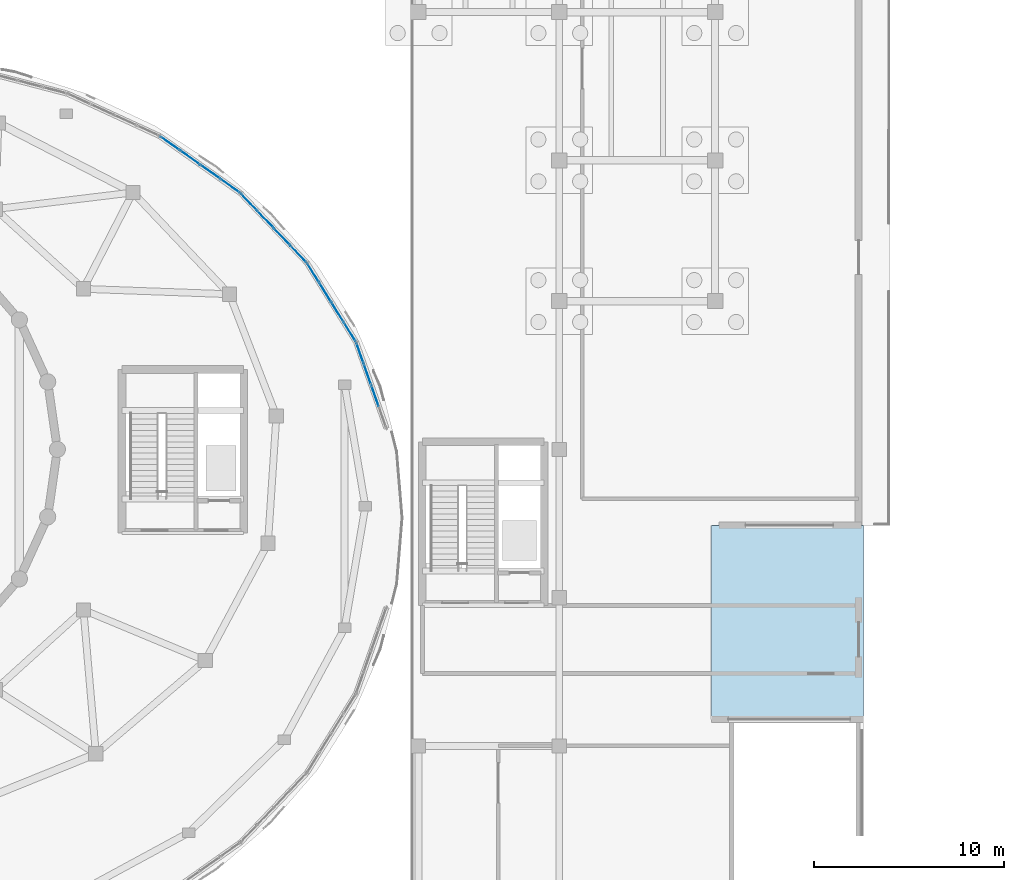
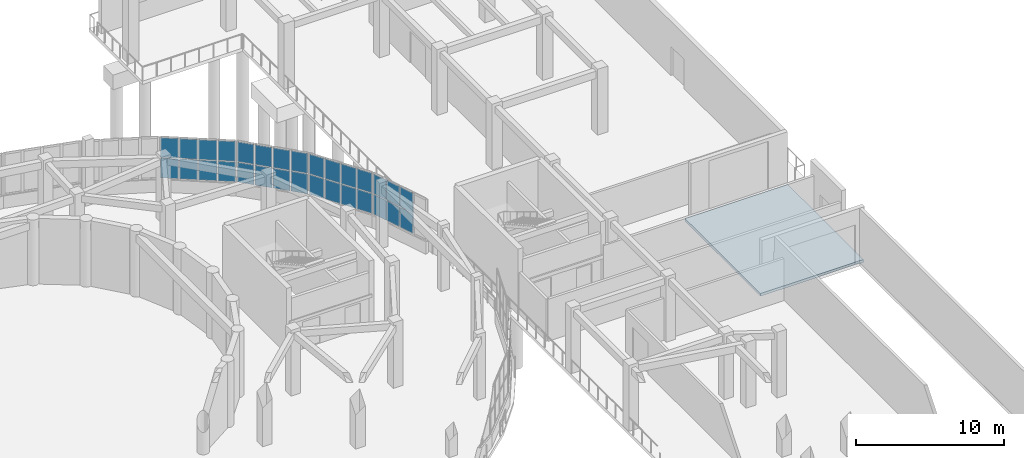
# One storey, part 70 of 96: 30 plates, 1 slab, 4 elements without a shape of their own.
"""IFC4 building model written with IfcOpenShell, lengths in metres."""

from ifc_helpers import new_model, si_unit, direction, frame, origin, origin_2d, place, context, subcontext, project, spatial, polyline, rectangle, outline, extrude, material, layer, layer_set, type_object, element, aggregate, save


model = new_model("IFC4")

# Units and contexts
model_context = context("Model", 3, precision=1e-05, world=origin(), true_north=direction((0.0, 1.0)))
body_context = subcontext(model_context, "Body", "Model", "MODEL_VIEW")
ifc_project = project(units=[si_unit("LENGTHUNIT", "METRE"), si_unit("AREAUNIT", "SQUARE_METRE"), si_unit("VOLUMEUNIT", "CUBIC_METRE"), si_unit("PLANEANGLEUNIT", "RADIAN"), si_unit("MASSUNIT", "GRAM", prefix="KILO")], contexts=[model_context])

# Site, building, storey
site_placement = place(None, origin())
site = spatial("IfcSite", under=ifc_project, at=site_placement, CompositionType="ELEMENT")
building_placement = place(site_placement, origin())
building = spatial("IfcBuilding", under=site, at=building_placement, Name="Pelvatis Terrace Science Centre", CompositionType="ELEMENT")
storey_placement = place(building_placement, origin())
storey = spatial("IfcBuildingStorey", under=building, at=storey_placement, Name="L00", CompositionType="ELEMENT", Elevation=0.0)

# Curtain wall, plates
ifc_material_1 = material(Name="Bronze-anodised aluminium and laminated glass", Category="aluminium")
ifc_layer_1 = layer(ifc_material_1, 0.199951171875)
ifc_layer_set_1 = layer_set([ifc_layer_1], Name="Bronze-anodised aluminium and laminated glass")
curtain_wall_type = type_object("IfcCurtainWallType", Name="CW-RIBBON-B", PredefinedType="NOTDEFINED", material=ifc_layer_set_1)
curtain_wall_1_placement = place(storey_placement, origin())
curtain_wall_1 = element("IfcCurtainWall", 1, at=curtain_wall_1_placement, inside=storey, type_object=curtain_wall_type, Name="Ribbon curtain wall CW-101 (L00)", PredefinedType="NOTDEFINED")
ifc_material_2 = material(Name="Low-e laminated solar-control double glazing", Category="glass")
ifc_layer_2 = layer(ifc_material_2, 0.031982421875)
ifc_layer_set_2 = layer_set([ifc_layer_2], Name="Low-e laminated solar-control double glazing")
plate_type = type_object("IfcPlateType", Name="CWP-IGU-32", PredefinedType="CURTAIN_PANEL", material=ifc_layer_set_2)
plate_1_placement = place(storey_placement, frame((138.512451171875, 88.6103515625, 1.0849609375), z_axis=(0.0, 0.0, 1.0), x_axis=(-0.332308248738, 0.943170837028, 0.0)))
plate_1 = element("IfcPlate", 2, at=plate_1_placement, type_object=plate_type, Name="CW-101 panel 2.1", PredefinedType="CURTAIN_PANEL", context=body_context, shape_type="SweptSolid", body=[
    extrude(rectangle(XDim=1.1357421875, YDim=0.031982421875, at=origin_2d()), origin(), (0.0, 0.0, 1.0), 1.62255859375),
])
plate_2_placement = place(storey_placement, frame((138.512451171875, 88.6103515625, 2.7724609375), z_axis=(0.0, 0.0, 1.0), x_axis=(-0.332308248738, 0.943170837028, 0.0)))
plate_2 = element("IfcPlate", 3, at=plate_2_placement, type_object=plate_type, Name="CW-101 panel 2.2", PredefinedType="CURTAIN_PANEL", context=body_context, shape_type="SweptSolid", body=[
    extrude(rectangle(XDim=1.1357421875, YDim=0.031982421875, at=origin_2d()), origin(), (0.0, 0.0, 1.0), 1.62255859375),
])
plate_3_placement = place(storey_placement, frame((138.11328125, 89.742919921875, 1.0849609375), z_axis=(0.0, 0.0, 1.0), x_axis=(-0.332308248738, 0.943170837028, 0.0)))
plate_3 = element("IfcPlate", 4, at=plate_3_placement, type_object=plate_type, Name="CW-101 panel 3.1", PredefinedType="CURTAIN_PANEL", context=body_context, shape_type="SweptSolid", body=[
    extrude(rectangle(XDim=1.1357421875, YDim=0.031982421875, at=origin_2d()), origin(), (0.0, 0.0, 1.0), 1.62255859375),
])
plate_4_placement = place(storey_placement, frame((138.11328125, 89.742919921875, 2.7724609375), z_axis=(0.0, 0.0, 1.0), x_axis=(-0.332308248738, 0.943170837028, 0.0)))
plate_4 = element("IfcPlate", 5, at=plate_4_placement, type_object=plate_type, Name="CW-101 panel 3.2", PredefinedType="CURTAIN_PANEL", context=body_context, shape_type="SweptSolid", body=[
    extrude(rectangle(XDim=1.1357421875, YDim=0.031982421875, at=origin_2d()), origin(), (0.0, 0.0, 1.0), 1.62255859375),
])
plate_5_placement = place(storey_placement, frame((137.7197265625, 90.860107421875, 1.0849609375), z_axis=(0.0, 0.0, 1.0), x_axis=(-0.332308248738, 0.943170837028, 0.0)))
plate_5 = element("IfcPlate", 6, at=plate_5_placement, type_object=plate_type, Name="CW-101 panel 4.1", PredefinedType="CURTAIN_PANEL", context=body_context, shape_type="SweptSolid", body=[
    extrude(rectangle(XDim=1.103271484375, YDim=0.031982421875, at=origin_2d()), origin(), (0.0, 0.0, 1.0), 1.62255859375),
])
plate_6_placement = place(storey_placement, frame((137.7197265625, 90.860107421875, 2.7724609375), z_axis=(0.0, 0.0, 1.0), x_axis=(-0.332308248738, 0.943170837028, 0.0)))
plate_6 = element("IfcPlate", 7, at=plate_6_placement, type_object=plate_type, Name="CW-101 panel 4.2", PredefinedType="CURTAIN_PANEL", context=body_context, shape_type="SweptSolid", body=[
    extrude(rectangle(XDim=1.103271484375, YDim=0.031982421875, at=origin_2d()), origin(), (0.0, 0.0, 1.0), 1.62255859375),
])
aggregate(curtain_wall_1, [plate_1, plate_2, plate_3, plate_4, plate_5, plate_6])

curtain_wall_2_placement = place(storey_placement, origin())
curtain_wall_2 = element("IfcCurtainWall", 8, at=curtain_wall_2_placement, inside=storey, type_object=curtain_wall_type, Name="Ribbon curtain wall CW-102 (L00)", PredefinedType="NOTDEFINED")
plate_7_placement = place(storey_placement, frame((137.18212890625, 91.9775390625, 1.0849609375), z_axis=(0.0, 0.0, 1.0), x_axis=(-0.527450488022, 0.849585771235, 0.0)))
plate_7 = element("IfcPlate", 9, at=plate_7_placement, type_object=plate_type, Name="CW-102 panel 1.1", PredefinedType="CURTAIN_PANEL", context=body_context, shape_type="SweptSolid", body=[
    extrude(rectangle(XDim=1.131103515625, YDim=0.031982421875, at=origin_2d()), origin(), (0.0, 0.0, 1.0), 1.62255859375),
])
plate_8_placement = place(storey_placement, frame((137.18212890625, 91.9775390625, 2.7724609375), z_axis=(0.0, 0.0, 1.0), x_axis=(-0.527450488022, 0.849585771235, 0.0)))
plate_8 = element("IfcPlate", 10, at=plate_8_placement, type_object=plate_type, Name="CW-102 panel 1.2", PredefinedType="CURTAIN_PANEL", context=body_context, shape_type="SweptSolid", body=[
    extrude(rectangle(XDim=1.131103515625, YDim=0.031982421875, at=origin_2d()), origin(), (0.0, 0.0, 1.0), 1.62255859375),
])
plate_9_placement = place(storey_placement, frame((136.542724609375, 93.007568359375, 1.0849609375), z_axis=(0.0, 0.0, 1.0), x_axis=(-0.527450488022, 0.849585771235, 0.0)))
plate_9 = element("IfcPlate", 11, at=plate_9_placement, type_object=plate_type, Name="CW-102 panel 2.1", PredefinedType="CURTAIN_PANEL", context=body_context, shape_type="SweptSolid", body=[
    extrude(rectangle(XDim=1.16357421875, YDim=0.031982421875, at=origin_2d()), origin(), (0.0, 0.0, 1.0), 1.62255859375),
])
plate_10_placement = place(storey_placement, frame((136.542724609375, 93.007568359375, 2.7724609375), z_axis=(0.0, 0.0, 1.0), x_axis=(-0.527450488022, 0.849585771235, 0.0)))
plate_10 = element("IfcPlate", 12, at=plate_10_placement, type_object=plate_type, Name="CW-102 panel 2.2", PredefinedType="CURTAIN_PANEL", context=body_context, shape_type="SweptSolid", body=[
    extrude(rectangle(XDim=1.16357421875, YDim=0.031982421875, at=origin_2d()), origin(), (0.0, 0.0, 1.0), 1.62255859375),
])
plate_11_placement = place(storey_placement, frame((135.894775390625, 94.05126953125, 1.0849609375), z_axis=(0.0, 0.0, 1.0), x_axis=(-0.527450488022, 0.849585771235, 0.0)))
plate_11 = element("IfcPlate", 13, at=plate_11_placement, type_object=plate_type, Name="CW-102 panel 3.1", PredefinedType="CURTAIN_PANEL", context=body_context, shape_type="SweptSolid", body=[
    extrude(rectangle(XDim=1.16357421875, YDim=0.031982421875, at=origin_2d()), origin(), (0.0, 0.0, 1.0), 1.62255859375),
])
plate_12_placement = place(storey_placement, frame((135.894775390625, 94.05126953125, 2.7724609375), z_axis=(0.0, 0.0, 1.0), x_axis=(-0.527450488022, 0.849585771235, 0.0)))
plate_12 = element("IfcPlate", 14, at=plate_12_placement, type_object=plate_type, Name="CW-102 panel 3.2", PredefinedType="CURTAIN_PANEL", context=body_context, shape_type="SweptSolid", body=[
    extrude(rectangle(XDim=1.16357421875, YDim=0.031982421875, at=origin_2d()), origin(), (0.0, 0.0, 1.0), 1.62255859375),
])
plate_13_placement = place(storey_placement, frame((135.25537109375, 95.081298828125, 1.0849609375), z_axis=(0.0, 0.0, 1.0), x_axis=(-0.527450488022, 0.849585771235, 0.0)))
plate_13 = element("IfcPlate", 15, at=plate_13_placement, type_object=plate_type, Name="CW-102 panel 4.1", PredefinedType="CURTAIN_PANEL", context=body_context, shape_type="SweptSolid", body=[
    extrude(rectangle(XDim=1.131103515625, YDim=0.031982421875, at=origin_2d()), origin(), (0.0, 0.0, 1.0), 1.62255859375),
])
plate_14_placement = place(storey_placement, frame((135.25537109375, 95.081298828125, 2.7724609375), z_axis=(0.0, 0.0, 1.0), x_axis=(-0.527450488022, 0.849585771235, 0.0)))
plate_14 = element("IfcPlate", 16, at=plate_14_placement, type_object=plate_type, Name="CW-102 panel 4.2", PredefinedType="CURTAIN_PANEL", context=body_context, shape_type="SweptSolid", body=[
    extrude(rectangle(XDim=1.131103515625, YDim=0.031982421875, at=origin_2d()), origin(), (0.0, 0.0, 1.0), 1.62255859375),
])
aggregate(curtain_wall_2, [plate_7, plate_8, plate_9, plate_10, plate_11, plate_12, plate_13, plate_14])

curtain_wall_3_placement = place(storey_placement, origin())
curtain_wall_3 = element("IfcCurtainWall", 17, at=curtain_wall_3_placement, inside=storey, type_object=curtain_wall_type, Name="Ribbon curtain wall CW-103 (L00)", PredefinedType="NOTDEFINED")
plate_15_placement = place(storey_placement, frame((134.475341796875, 96.086181640625, 1.0849609375), z_axis=(0.0, 0.0, 1.0), x_axis=(-0.689973170309, 0.723834942686, 0.0)))
plate_15 = element("IfcPlate", 18, at=plate_15_placement, type_object=plate_type, Name="CW-103 panel 1.1", PredefinedType="CURTAIN_PANEL", context=body_context, shape_type="SweptSolid", body=[
    extrude(rectangle(XDim=1.16650390625, YDim=0.031982421875, at=origin_2d()), origin(), (0.0, 0.0, 1.0), 1.62255859375),
])
plate_16_placement = place(storey_placement, frame((134.475341796875, 96.086181640625, 2.7724609375), z_axis=(0.0, 0.0, 1.0), x_axis=(-0.689973170309, 0.723834942686, 0.0)))
plate_16 = element("IfcPlate", 19, at=plate_16_placement, type_object=plate_type, Name="CW-103 panel 1.2", PredefinedType="CURTAIN_PANEL", context=body_context, shape_type="SweptSolid", body=[
    extrude(rectangle(XDim=1.16650390625, YDim=0.031982421875, at=origin_2d()), origin(), (0.0, 0.0, 1.0), 1.62255859375),
])
plate_17_placement = place(storey_placement, frame((133.614501953125, 96.9892578125, 1.0849609375), z_axis=(0.0, 0.0, 1.0), x_axis=(-0.689973170309, 0.723834942686, 0.0)))
plate_17 = element("IfcPlate", 20, at=plate_17_placement, type_object=plate_type, Name="CW-103 panel 2.1", PredefinedType="CURTAIN_PANEL", context=body_context, shape_type="SweptSolid", body=[
    extrude(rectangle(XDim=1.198974609375, YDim=0.031982421875, at=origin_2d()), origin(), (0.0, 0.0, 1.0), 1.62255859375),
])
plate_18_placement = place(storey_placement, frame((133.614501953125, 96.9892578125, 2.7724609375), z_axis=(0.0, 0.0, 1.0), x_axis=(-0.689973170309, 0.723834942686, 0.0)))
plate_18 = element("IfcPlate", 21, at=plate_18_placement, type_object=plate_type, Name="CW-103 panel 2.2", PredefinedType="CURTAIN_PANEL", context=body_context, shape_type="SweptSolid", body=[
    extrude(rectangle(XDim=1.198974609375, YDim=0.031982421875, at=origin_2d()), origin(), (0.0, 0.0, 1.0), 1.62255859375),
])
plate_19_placement = place(storey_placement, frame((132.742431640625, 97.904296875, 1.0849609375), z_axis=(0.0, 0.0, 1.0), x_axis=(-0.689973170309, 0.723834942686, 0.0)))
plate_19 = element("IfcPlate", 22, at=plate_19_placement, type_object=plate_type, Name="CW-103 panel 3.1", PredefinedType="CURTAIN_PANEL", context=body_context, shape_type="SweptSolid", body=[
    extrude(rectangle(XDim=1.198974609375, YDim=0.031982421875, at=origin_2d()), origin(), (0.0, 0.0, 1.0), 1.62255859375),
])
plate_20_placement = place(storey_placement, frame((132.742431640625, 97.904296875, 2.7724609375), z_axis=(0.0, 0.0, 1.0), x_axis=(-0.689973170309, 0.723834942686, 0.0)))
plate_20 = element("IfcPlate", 23, at=plate_20_placement, type_object=plate_type, Name="CW-103 panel 3.2", PredefinedType="CURTAIN_PANEL", context=body_context, shape_type="SweptSolid", body=[
    extrude(rectangle(XDim=1.198974609375, YDim=0.031982421875, at=origin_2d()), origin(), (0.0, 0.0, 1.0), 1.62255859375),
])
plate_21_placement = place(storey_placement, frame((131.881591796875, 98.807373046875, 1.0849609375), z_axis=(0.0, 0.0, 1.0), x_axis=(-0.689973170309, 0.723834942686, 0.0)))
plate_21 = element("IfcPlate", 24, at=plate_21_placement, type_object=plate_type, Name="CW-103 panel 4.1", PredefinedType="CURTAIN_PANEL", context=body_context, shape_type="SweptSolid", body=[
    extrude(rectangle(XDim=1.16650390625, YDim=0.031982421875, at=origin_2d()), origin(), (0.0, 0.0, 1.0), 1.62255859375),
])
plate_22_placement = place(storey_placement, frame((131.881591796875, 98.807373046875, 2.7724609375), z_axis=(0.0, 0.0, 1.0), x_axis=(-0.689973170309, 0.723834942686, 0.0)))
plate_22 = element("IfcPlate", 25, at=plate_22_placement, type_object=plate_type, Name="CW-103 panel 4.2", PredefinedType="CURTAIN_PANEL", context=body_context, shape_type="SweptSolid", body=[
    extrude(rectangle(XDim=1.16650390625, YDim=0.031982421875, at=origin_2d()), origin(), (0.0, 0.0, 1.0), 1.62255859375),
])
aggregate(curtain_wall_3, [plate_15, plate_16, plate_17, plate_18, plate_19, plate_20, plate_21, plate_22])

curtain_wall_4_placement = place(storey_placement, origin())
curtain_wall_4 = element("IfcCurtainWall", 26, at=curtain_wall_4_placement, inside=storey, type_object=curtain_wall_type, Name="Ribbon curtain wall CW-104 (L00)", PredefinedType="NOTDEFINED")
plate_23_placement = place(storey_placement, frame((130.8896484375, 99.661376953125, 1.0849609375), z_axis=(0.0, 0.0, 1.0), x_axis=(-0.816698338299, 0.577064835369, 0.0)))
plate_23 = element("IfcPlate", 27, at=plate_23_placement, type_object=plate_type, Name="CW-104 panel 1.1", PredefinedType="CURTAIN_PANEL", context=body_context, shape_type="SweptSolid", body=[
    extrude(rectangle(XDim=1.20361328125, YDim=0.031982421875, at=origin_2d()), origin(), (0.0, 0.0, 1.0), 1.62255859375),
])
plate_24_placement = place(storey_placement, frame((130.8896484375, 99.661376953125, 2.7724609375), z_axis=(0.0, 0.0, 1.0), x_axis=(-0.816698338299, 0.577064835369, 0.0)))
plate_24 = element("IfcPlate", 28, at=plate_24_placement, type_object=plate_type, Name="CW-104 panel 1.2", PredefinedType="CURTAIN_PANEL", context=body_context, shape_type="SweptSolid", body=[
    extrude(rectangle(XDim=1.20361328125, YDim=0.031982421875, at=origin_2d()), origin(), (0.0, 0.0, 1.0), 1.62255859375),
])
plate_25_placement = place(storey_placement, frame((129.84033203125, 100.40283203125, 1.0849609375), z_axis=(0.0, 0.0, 1.0), x_axis=(-0.816698338299, 0.577064835369, 0.0)))
plate_25 = element("IfcPlate", 29, at=plate_25_placement, type_object=plate_type, Name="CW-104 panel 2.1", PredefinedType="CURTAIN_PANEL", context=body_context, shape_type="SweptSolid", body=[
    extrude(rectangle(XDim=1.236083984375, YDim=0.031982421875, at=origin_2d()), origin(), (0.0, 0.0, 1.0), 1.62255859375),
])
plate_26_placement = place(storey_placement, frame((129.84033203125, 100.40283203125, 2.7724609375), z_axis=(0.0, 0.0, 1.0), x_axis=(-0.816698338299, 0.577064835369, 0.0)))
plate_26 = element("IfcPlate", 30, at=plate_26_placement, type_object=plate_type, Name="CW-104 panel 2.2", PredefinedType="CURTAIN_PANEL", context=body_context, shape_type="SweptSolid", body=[
    extrude(rectangle(XDim=1.236083984375, YDim=0.031982421875, at=origin_2d()), origin(), (0.0, 0.0, 1.0), 1.62255859375),
])
plate_27_placement = place(storey_placement, frame((128.777587890625, 101.15380859375, 1.0849609375), z_axis=(0.0, 0.0, 1.0), x_axis=(-0.816698338299, 0.577064835369, 0.0)))
plate_27 = element("IfcPlate", 31, at=plate_27_placement, type_object=plate_type, Name="CW-104 panel 3.1", PredefinedType="CURTAIN_PANEL", context=body_context, shape_type="SweptSolid", body=[
    extrude(rectangle(XDim=1.236083984375, YDim=0.031982421875, at=origin_2d()), origin(), (0.0, 0.0, 1.0), 1.62255859375),
])
plate_28_placement = place(storey_placement, frame((128.777587890625, 101.15380859375, 2.7724609375), z_axis=(0.0, 0.0, 1.0), x_axis=(-0.816698338299, 0.577064835369, 0.0)))
plate_28 = element("IfcPlate", 32, at=plate_28_placement, type_object=plate_type, Name="CW-104 panel 3.2", PredefinedType="CURTAIN_PANEL", context=body_context, shape_type="SweptSolid", body=[
    extrude(rectangle(XDim=1.236083984375, YDim=0.031982421875, at=origin_2d()), origin(), (0.0, 0.0, 1.0), 1.62255859375),
])
plate_29_placement = place(storey_placement, frame((127.728271484375, 101.895263671875, 1.0849609375), z_axis=(0.0, 0.0, 1.0), x_axis=(-0.816698338299, 0.577064835369, 0.0)))
plate_29 = element("IfcPlate", 33, at=plate_29_placement, type_object=plate_type, Name="CW-104 panel 4.1", PredefinedType="CURTAIN_PANEL", context=body_context, shape_type="SweptSolid", body=[
    extrude(rectangle(XDim=1.20361328125, YDim=0.031982421875, at=origin_2d()), origin(), (0.0, 0.0, 1.0), 1.62255859375),
])
plate_30_placement = place(storey_placement, frame((127.728271484375, 101.895263671875, 2.7724609375), z_axis=(0.0, 0.0, 1.0), x_axis=(-0.816698338299, 0.577064835369, 0.0)))
plate_30 = element("IfcPlate", 34, at=plate_30_placement, type_object=plate_type, Name="CW-104 panel 4.2", PredefinedType="CURTAIN_PANEL", context=body_context, shape_type="SweptSolid", body=[
    extrude(rectangle(XDim=1.20361328125, YDim=0.031982421875, at=origin_2d()), origin(), (0.0, 0.0, 1.0), 1.62255859375),
])
aggregate(curtain_wall_4, [plate_23, plate_24, plate_25, plate_26, plate_27, plate_28, plate_29, plate_30])

# Slab
ifc_material_3 = material(Name="Concrete C35/45", Category="concrete")
ifc_layer_3 = layer(ifc_material_3, 0.219970703125)
ifc_layer_set_3 = layer_set([ifc_layer_3], Name="Concrete C35/45")
slab_type = type_object("IfcSlabType", Name="SLB-TER-220", PredefinedType="FLOOR", material=ifc_layer_set_3)
slab_placement = place(storey_placement, frame((0.0, 0.0, -0.219970703125)))
element("IfcSlab", 35, at=slab_placement, inside=storey, type_object=slab_type, Name="L00 Vehicle ramp exterior driveway apron", PredefinedType="FLOOR", context=body_context, shape_type="SweptSolid", body=[
    extrude(outline(polyline([(156.199951171875, 81.800048828125), (164.199951171875, 81.800048828125), (164.199951171875, 71.60009765625), (156.199951171875, 71.60009765625), (156.199951171875, 81.800048828125)])), origin(), (0.0, 0.0, 1.0), 0.219970703125),
])

save(model, "model.ifc")
